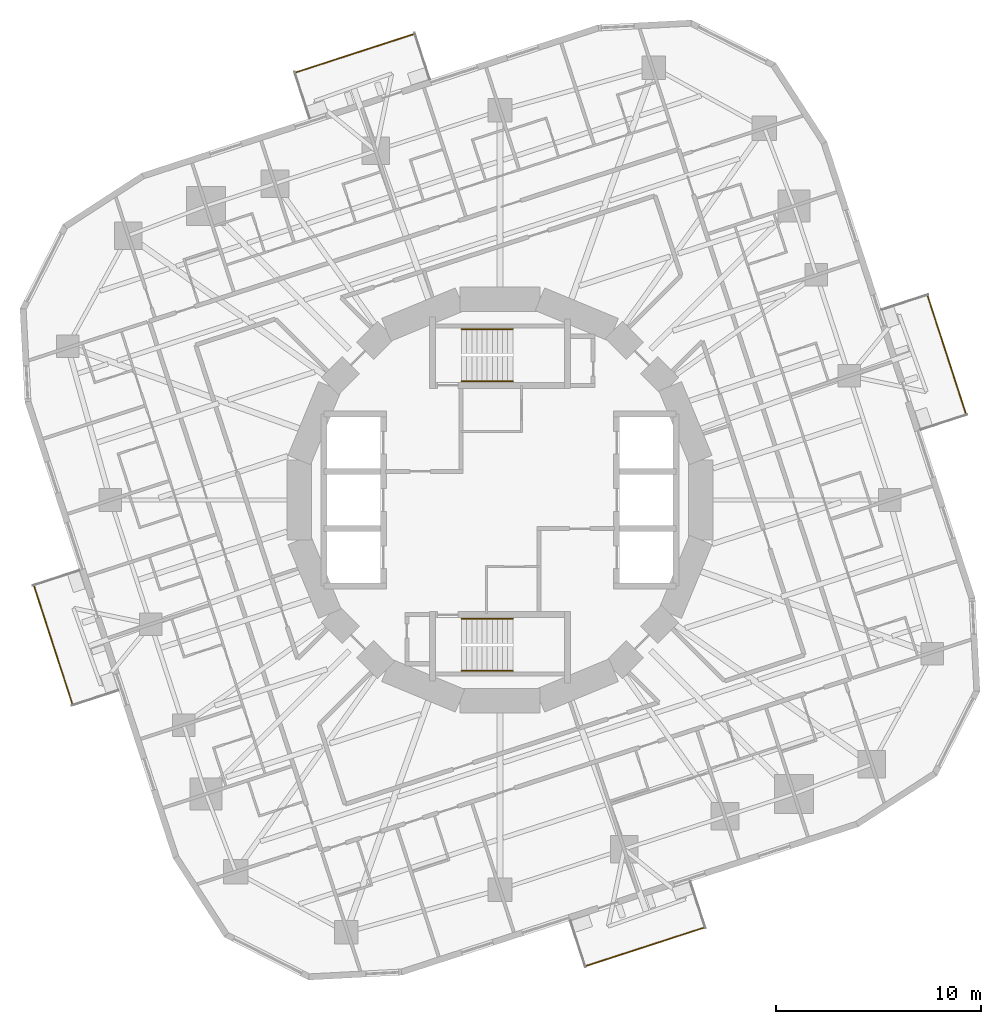
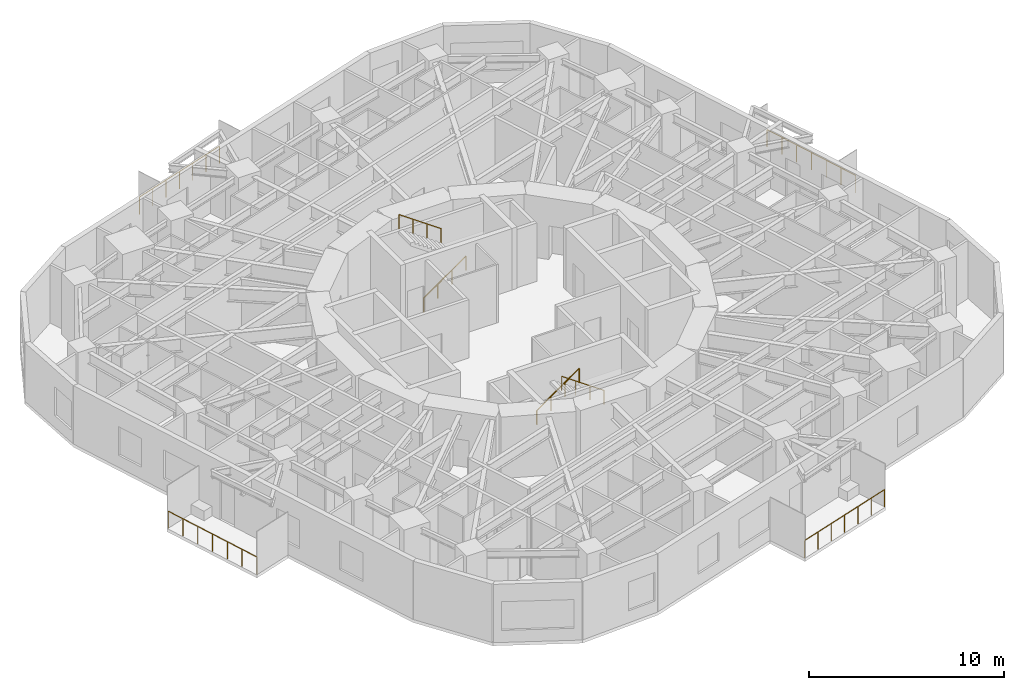
# One storey, part 12 of 13: 8 railings.
"""IFC4 building model written with IfcOpenShell, lengths in metres."""

from ifc_helpers import new_model, si_unit, direction, frame, origin, origin_2d, place, context, subcontext, project, spatial, circle, extrude, material, type_object, element, save


model = new_model("IFC4")

# Units and contexts
model_context = context("Model", 3, precision=1e-05, world=origin(), true_north=direction((0.0, 1.0)))
body_context = subcontext(model_context, "Body", "Model", "MODEL_VIEW")
ifc_project = project(units=[si_unit("LENGTHUNIT", "METRE"), si_unit("AREAUNIT", "SQUARE_METRE"), si_unit("VOLUMEUNIT", "CUBIC_METRE"), si_unit("PLANEANGLEUNIT", "RADIAN"), si_unit("MASSUNIT", "GRAM", prefix="KILO")], contexts=[model_context])

# Site, building, storey
site_placement = place(None, origin())
site = spatial("IfcSite", under=ifc_project, at=site_placement, CompositionType="ELEMENT")
building_placement = place(site_placement, origin())
building = spatial("IfcBuilding", under=site, at=building_placement, Name="Nakasero Lantern House", CompositionType="ELEMENT")
storey_placement = place(building_placement, frame((0.0, 0.0, 157.199951171875)))
storey = spatial("IfcBuildingStorey", under=building, at=storey_placement, Name="L38", CompositionType="ELEMENT", Elevation=157.199951171875)

# Railings
ifc_material_1 = material(Name="Aluminium 6063-T6", Category="aluminium")
railing_type_1 = type_object("IfcRailingType", Name="Balcony guard 1100", PredefinedType="BALUSTRADE", material=ifc_material_1)
railing_1_placement = place(storey_placement, frame((22.7724609375, 4.181640625, 0.0)))
element("IfcRailing", 1, at=railing_1_placement, inside=storey, type_object=railing_type_1, Name="Balcony guard L38 BAL0", PredefinedType="BALUSTRADE", context=body_context, shape_type="SweptSolid", body=[
    extrude(circle(Radius=0.02392578125, at=origin_2d()), frame((0.0, 0.0, 1.076171875), z_axis=(-0.309038265471, 0.951049604634, 0.0), x_axis=(-0.951049604634, -0.309038265471, 0.0)), (0.0, 0.0, 1.0), 6.1201171875),
    extrude(circle(Radius=0.02099609375, at=origin_2d()), origin(), (0.0, 0.0, 1.0), 1.052001953125),
    extrude(circle(Radius=0.02099609375, at=origin_2d()), frame((-0.315185546875, 0.97021484375, 0.0)), (0.0, 0.0, 1.0), 1.052001953125),
    extrude(circle(Radius=0.02099609375, at=origin_2d()), frame((-0.63037109375, 1.940185546875, 0.0)), (0.0, 0.0, 1.0), 1.052001953125),
    extrude(circle(Radius=0.02099609375, at=origin_2d()), frame((-0.94580078125, 2.91015625, 0.0)), (0.0, 0.0, 1.0), 1.052001953125),
    extrude(circle(Radius=0.02099609375, at=origin_2d()), frame((-1.260986328125, 3.88037109375, 0.0)), (0.0, 0.0, 1.0), 1.052001953125),
    extrude(circle(Radius=0.02099609375, at=origin_2d()), frame((-1.576171875, 4.8505859375, 0.0)), (0.0, 0.0, 1.0), 1.052001953125),
    extrude(circle(Radius=0.02099609375, at=origin_2d()), frame((-1.891357421875, 5.820556640625, 0.0)), (0.0, 0.0, 1.0), 1.052001953125),
])
railing_2_placement = place(storey_placement, frame((-4.181640625, 22.7724609375, 0.0)))
element("IfcRailing", 2, at=railing_2_placement, inside=storey, type_object=railing_type_1, Name="Balcony guard L38 BAL1", PredefinedType="BALUSTRADE", context=body_context, shape_type="SweptSolid", body=[
    extrude(circle(Radius=0.02392578125, at=origin_2d()), frame((0.0, 0.0, 1.076171875), z_axis=(-0.951049604634, -0.309038265471, 0.0), x_axis=(0.309038265471, -0.951049604634, 0.0)), (0.0, 0.0, 1.0), 6.1201171875),
    extrude(circle(Radius=0.02099609375, at=origin_2d()), origin(), (0.0, 0.0, 1.0), 1.052001953125),
    extrude(circle(Radius=0.02099609375, at=origin_2d()), frame((-0.97021484375, -0.315185546875, 0.0)), (0.0, 0.0, 1.0), 1.052001953125),
    extrude(circle(Radius=0.02099609375, at=origin_2d()), frame((-1.940185546875, -0.63037109375, 0.0)), (0.0, 0.0, 1.0), 1.052001953125),
    extrude(circle(Radius=0.02099609375, at=origin_2d()), frame((-2.91015625, -0.94580078125, 0.0)), (0.0, 0.0, 1.0), 1.052001953125),
    extrude(circle(Radius=0.02099609375, at=origin_2d()), frame((-3.88037109375, -1.260986328125, 0.0)), (0.0, 0.0, 1.0), 1.052001953125),
    extrude(circle(Radius=0.02099609375, at=origin_2d()), frame((-4.8505859375, -1.576171875, 0.0)), (0.0, 0.0, 1.0), 1.052001953125),
    extrude(circle(Radius=0.02099609375, at=origin_2d()), frame((-5.820556640625, -1.891357421875, 0.0)), (0.0, 0.0, 1.0), 1.052001953125),
])
railing_3_placement = place(storey_placement, frame((-22.7724609375, -4.181640625, 0.0)))
element("IfcRailing", 3, at=railing_3_placement, inside=storey, type_object=railing_type_1, Name="Balcony guard L38 BAL2", PredefinedType="BALUSTRADE", context=body_context, shape_type="SweptSolid", body=[
    extrude(circle(Radius=0.02392578125, at=origin_2d()), frame((0.0, 0.0, 1.076171875), z_axis=(0.309038265471, -0.951049604634, 0.0), x_axis=(0.951049604634, 0.309038265471, 0.0)), (0.0, 0.0, 1.0), 6.1201171875),
    extrude(circle(Radius=0.02099609375, at=origin_2d()), origin(), (0.0, 0.0, 1.0), 1.052001953125),
    extrude(circle(Radius=0.02099609375, at=origin_2d()), frame((0.315185546875, -0.97021484375, 0.0)), (0.0, 0.0, 1.0), 1.052001953125),
    extrude(circle(Radius=0.02099609375, at=origin_2d()), frame((0.63037109375, -1.940185546875, 0.0)), (0.0, 0.0, 1.0), 1.052001953125),
    extrude(circle(Radius=0.02099609375, at=origin_2d()), frame((0.94580078125, -2.91015625, 0.0)), (0.0, 0.0, 1.0), 1.052001953125),
    extrude(circle(Radius=0.02099609375, at=origin_2d()), frame((1.260986328125, -3.88037109375, 0.0)), (0.0, 0.0, 1.0), 1.052001953125),
    extrude(circle(Radius=0.02099609375, at=origin_2d()), frame((1.576171875, -4.8505859375, 0.0)), (0.0, 0.0, 1.0), 1.052001953125),
    extrude(circle(Radius=0.02099609375, at=origin_2d()), frame((1.891357421875, -5.820556640625, 0.0)), (0.0, 0.0, 1.0), 1.052001953125),
])
railing_4_placement = place(storey_placement, frame((4.181640625, -22.7724609375, 0.0)))
element("IfcRailing", 4, at=railing_4_placement, inside=storey, type_object=railing_type_1, Name="Balcony guard L38 BAL3", PredefinedType="BALUSTRADE", context=body_context, shape_type="SweptSolid", body=[
    extrude(circle(Radius=0.02392578125, at=origin_2d()), frame((0.0, 0.0, 1.076171875), z_axis=(0.951049604634, 0.309038265471, 0.0), x_axis=(-0.309038265471, 0.951049604634, 0.0)), (0.0, 0.0, 1.0), 6.1201171875),
    extrude(circle(Radius=0.02099609375, at=origin_2d()), origin(), (0.0, 0.0, 1.0), 1.052001953125),
    extrude(circle(Radius=0.02099609375, at=origin_2d()), frame((0.97021484375, 0.315185546875, 0.0)), (0.0, 0.0, 1.0), 1.052001953125),
    extrude(circle(Radius=0.02099609375, at=origin_2d()), frame((1.940185546875, 0.63037109375, 0.0)), (0.0, 0.0, 1.0), 1.052001953125),
    extrude(circle(Radius=0.02099609375, at=origin_2d()), frame((2.91015625, 0.94580078125, 0.0)), (0.0, 0.0, 1.0), 1.052001953125),
    extrude(circle(Radius=0.02099609375, at=origin_2d()), frame((3.88037109375, 1.260986328125, 0.0)), (0.0, 0.0, 1.0), 1.052001953125),
    extrude(circle(Radius=0.02099609375, at=origin_2d()), frame((4.8505859375, 1.576171875, 0.0)), (0.0, 0.0, 1.0), 1.052001953125),
    extrude(circle(Radius=0.02099609375, at=origin_2d()), frame((5.820556640625, 1.891357421875, 0.0)), (0.0, 0.0, 1.0), 1.052001953125),
])
ifc_material_2 = material(Name="Stainless steel 316", Category="steel")
railing_type_2 = type_object("IfcRailingType", Name="Stair handrail 900", PredefinedType="HANDRAIL", material=ifc_material_2)
railing_5_placement = place(storey_placement, frame((-1.875, 5.800048828125, 0.175048828125)))
element("IfcRailing", 5, at=railing_5_placement, inside=storey, type_object=railing_type_2, Name="Handrail ST1 L38 flight 1", PredefinedType="HANDRAIL", context=body_context, shape_type="SweptSolid", body=[
    extrude(circle(Radius=0.02392578125, at=origin_2d()), frame((0.0, 0.0, 0.8759765625), z_axis=(0.819231920519, 0.0, 0.573462344363), x_axis=(0.0, 1.0, 0.0)), (0.0, 0.0, 1.0), 3.0517578125),
    extrude(circle(Radius=0.02099609375, at=origin_2d()), origin(), (0.0, 0.0, 1.0), 0.851806640625),
    extrude(circle(Radius=0.02099609375, at=origin_2d()), frame((0.833251953125, 0.0, 0.583251953125)), (0.0, 0.0, 1.0), 0.851806640625),
    extrude(circle(Radius=0.02099609375, at=origin_2d()), frame((1.666748046875, 0.0, 1.166748046875)), (0.0, 0.0, 1.0), 0.851806640625),
    extrude(circle(Radius=0.02099609375, at=origin_2d()), frame((2.5, 0.0, 1.75)), (0.0, 0.0, 1.0), 0.851806640625),
])
railing_6_placement = place(storey_placement, frame((0.625, 8.35009765625, 2.10009765625)))
element("IfcRailing", 6, at=railing_6_placement, inside=storey, type_object=railing_type_2, Name="Handrail ST1 L38 flight 2", PredefinedType="HANDRAIL", context=body_context, shape_type="SweptSolid", body=[
    extrude(circle(Radius=0.02392578125, at=origin_2d()), frame((0.0, 0.0, 0.8759765625), z_axis=(-0.819231920519, 0.0, 0.573462344363), x_axis=(0.0, -1.0, 0.0)), (0.0, 0.0, 1.0), 3.0517578125),
    extrude(circle(Radius=0.02099609375, at=origin_2d()), origin(), (0.0, 0.0, 1.0), 0.851806640625),
    extrude(circle(Radius=0.02099609375, at=origin_2d()), frame((-0.833251953125, 0.0, 0.583251953125)), (0.0, 0.0, 1.0), 0.851806640625),
    extrude(circle(Radius=0.02099609375, at=origin_2d()), frame((-1.666748046875, 0.0, 1.166748046875)), (0.0, 0.0, 1.0), 0.851806640625),
    extrude(circle(Radius=0.02099609375, at=origin_2d()), frame((-2.5, 0.0, 1.75)), (0.0, 0.0, 1.0), 0.851806640625),
])
railing_7_placement = place(storey_placement, frame((-1.875, -5.800048828125, 0.175048828125)))
element("IfcRailing", 7, at=railing_7_placement, inside=storey, type_object=railing_type_2, Name="Handrail ST2 L38 flight 1", PredefinedType="HANDRAIL", context=body_context, shape_type="SweptSolid", body=[
    extrude(circle(Radius=0.02392578125, at=origin_2d()), frame((0.0, 0.0, 0.8759765625), z_axis=(0.819231920519, 0.0, 0.573462344363), x_axis=(0.0, 1.0, 0.0)), (0.0, 0.0, 1.0), 3.0517578125),
    extrude(circle(Radius=0.02099609375, at=origin_2d()), origin(), (0.0, 0.0, 1.0), 0.851806640625),
    extrude(circle(Radius=0.02099609375, at=origin_2d()), frame((0.833251953125, 0.0, 0.583251953125)), (0.0, 0.0, 1.0), 0.851806640625),
    extrude(circle(Radius=0.02099609375, at=origin_2d()), frame((1.666748046875, 0.0, 1.166748046875)), (0.0, 0.0, 1.0), 0.851806640625),
    extrude(circle(Radius=0.02099609375, at=origin_2d()), frame((2.5, 0.0, 1.75)), (0.0, 0.0, 1.0), 0.851806640625),
])
railing_8_placement = place(storey_placement, frame((0.625, -8.35009765625, 2.10009765625)))
element("IfcRailing", 8, at=railing_8_placement, inside=storey, type_object=railing_type_2, Name="Handrail ST2 L38 flight 2", PredefinedType="HANDRAIL", context=body_context, shape_type="SweptSolid", body=[
    extrude(circle(Radius=0.02392578125, at=origin_2d()), frame((0.0, 0.0, 0.8759765625), z_axis=(-0.819231920519, 0.0, 0.573462344363), x_axis=(0.0, -1.0, 0.0)), (0.0, 0.0, 1.0), 3.0517578125),
    extrude(circle(Radius=0.02099609375, at=origin_2d()), origin(), (0.0, 0.0, 1.0), 0.851806640625),
    extrude(circle(Radius=0.02099609375, at=origin_2d()), frame((-0.833251953125, 0.0, 0.583251953125)), (0.0, 0.0, 1.0), 0.851806640625),
    extrude(circle(Radius=0.02099609375, at=origin_2d()), frame((-1.666748046875, 0.0, 1.166748046875)), (0.0, 0.0, 1.0), 0.851806640625),
    extrude(circle(Radius=0.02099609375, at=origin_2d()), frame((-2.5, 0.0, 1.75)), (0.0, 0.0, 1.0), 0.851806640625),
])

save(model, "model.ifc")
